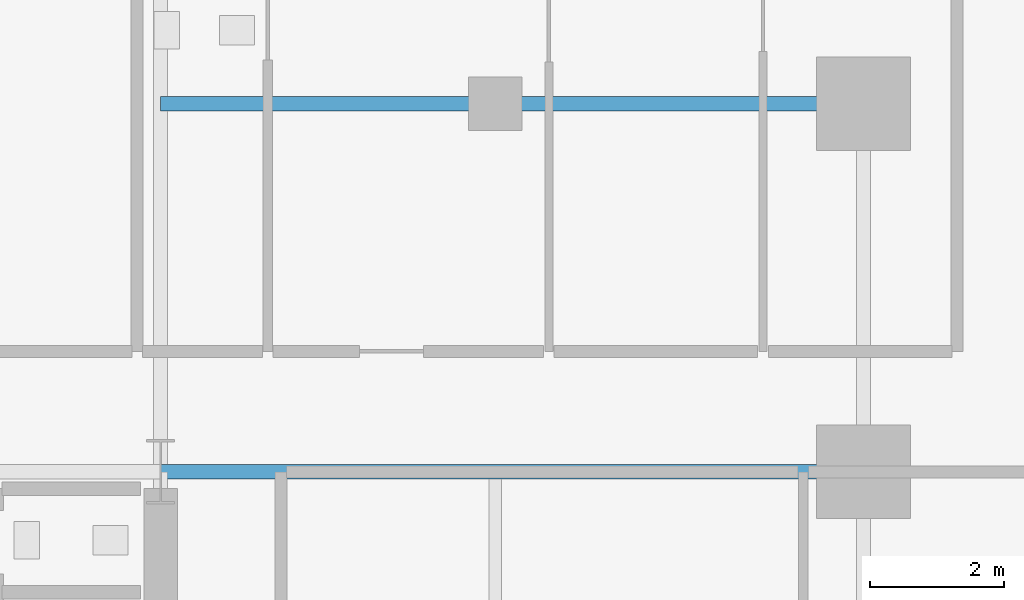
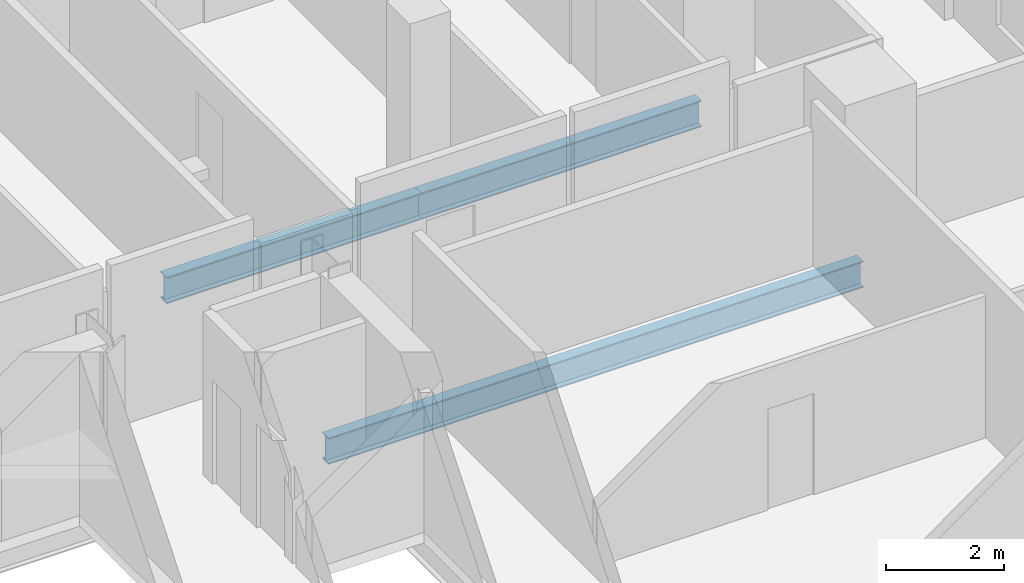
# One storey, part 14 of 24: 3 beams.
"""IFC4 building model written with IfcOpenShell, lengths in metres."""

from ifc_helpers import new_model, si_unit, direction, frame, origin, origin_2d, place, context, subcontext, project, spatial, i_section, extrude, material, material_profile, profile_set, type_object, element, save


model = new_model("IFC4")

# Units and contexts
model_context = context("Model", 3, precision=1e-05, world=origin(), true_north=direction((0.0, 1.0)))
body_context = subcontext(model_context, "Body", "Model", "MODEL_VIEW")
ifc_project = project(units=[si_unit("LENGTHUNIT", "METRE"), si_unit("AREAUNIT", "SQUARE_METRE"), si_unit("VOLUMEUNIT", "CUBIC_METRE"), si_unit("PLANEANGLEUNIT", "RADIAN"), si_unit("MASSUNIT", "GRAM", prefix="KILO")], contexts=[model_context])

# Site, building, storey
site_placement = place(None, origin())
site = spatial("IfcSite", under=ifc_project, at=site_placement, CompositionType="ELEMENT")
building_placement = place(site_placement, origin())
building = spatial("IfcBuilding", under=site, at=building_placement, Name="Barlavira Tower and Art Museum", CompositionType="ELEMENT")
storey_placement = place(building_placement, frame((0.0, 0.0, 46.800048828125)))
storey = spatial("IfcBuildingStorey", under=building, at=storey_placement, Name="L10", CompositionType="ELEMENT", Elevation=46.800048828125)

# Beams
ifc_material = material(Name="Steel S355", Category="steel")
ifc_material_profile = material_profile(ifc_material, i_section(OverallWidth=0.214111328125, OverallDepth=0.549072265625, WebThickness=0.0146484375, FlangeThickness=0.023681640625, at=origin_2d()), Name="W530x138.0")
ifc_profile_set = profile_set([ifc_material_profile], Name="Steel S355")
beam_type = type_object("IfcBeamType", Name="Zone 1 Primary Floor Girder W530x138 Steel S355", PredefinedType="BEAM", material=ifc_profile_set)
beam_1_placement = place(storey_placement, frame((6.5, 7.5, -0.49462890625), z_axis=(1.0, 0.0, 0.0), x_axis=(0.0, 1.0, 0.0)))
element("IfcBeam", 1, at=beam_1_placement, inside=storey, type_object=beam_type, Name="L10 Girder R-E2", PredefinedType="BEAM", context=body_context, shape_type="SweptSolid", body=[
    extrude(i_section(OverallWidth=0.214111328125, OverallDepth=0.549072265625, WebThickness=0.0146484375, FlangeThickness=0.023681640625, at=origin_2d()), origin(), (0.0, 0.0, 1.0), 10.5),
])
beam_2_placement = place(storey_placement, frame((6.5, 13.0, -0.49462890625), z_axis=(1.0, 0.0, 0.0), x_axis=(0.0, 1.0, 0.0)))
element("IfcBeam", 2, at=beam_2_placement, inside=storey, type_object=beam_type, Name="L10 Girder I-N3", PredefinedType="BEAM", context=body_context, shape_type="SweptSolid", body=[
    extrude(i_section(OverallWidth=0.214111328125, OverallDepth=0.549072265625, WebThickness=0.0146484375, FlangeThickness=0.023681640625, at=origin_2d()), origin(), (0.0, 0.0, 1.0), 5.0),
])
beam_3_placement = place(storey_placement, frame((11.5, 13.0, -0.49462890625), z_axis=(1.0, 0.0, 0.0), x_axis=(0.0, 1.0, 0.0)))
element("IfcBeam", 3, at=beam_3_placement, inside=storey, type_object=beam_type, Name="L10 Girder I-N4", PredefinedType="BEAM", context=body_context, shape_type="SweptSolid", body=[
    extrude(i_section(OverallWidth=0.214111328125, OverallDepth=0.549072265625, WebThickness=0.0146484375, FlangeThickness=0.023681640625, at=origin_2d()), origin(), (0.0, 0.0, 1.0), 5.5),
])

save(model, "model.ifc")
